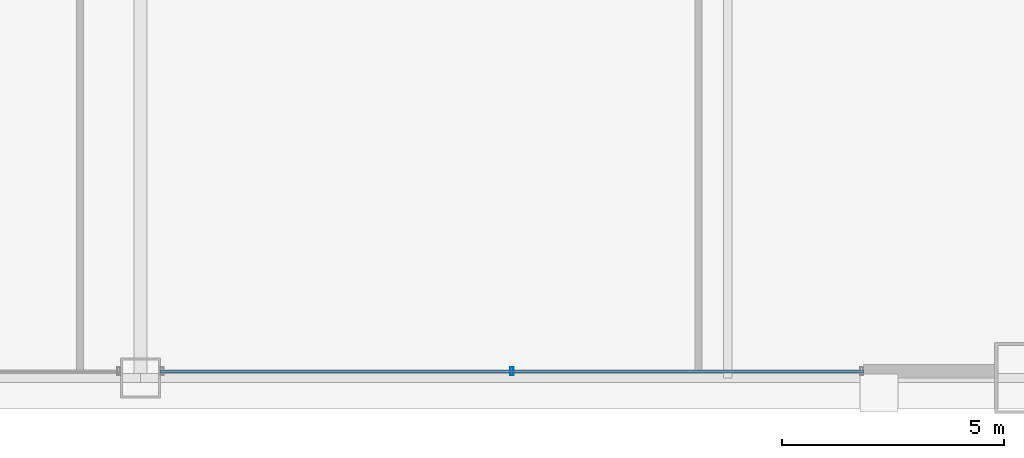
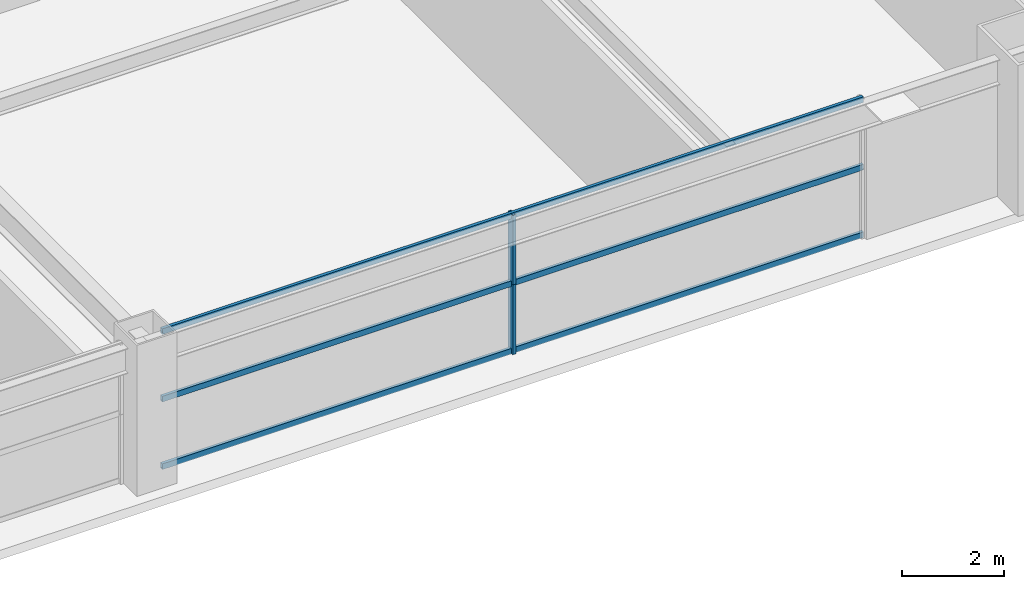
# One storey, part 13 of 38: 5 members, 1 element without a shape of its own.
"""IFC4 building model written with IfcOpenShell, lengths in metres."""

from ifc_helpers import new_model, si_unit, direction, frame, origin, origin_2d, place, context, subcontext, project, spatial, hollow_rectangle, extrude, source, transform, mapped, material, layer, layer_set, material_profile, profile_set, type_object, element, aggregate, save


model = new_model("IFC4")

# Units and contexts
model_context = context("Model", 3, precision=1e-05, world=origin(), true_north=direction((0.0, 1.0)))
body_context = subcontext(model_context, "Body", "Model", "MODEL_VIEW")
ifc_project = project(units=[si_unit("LENGTHUNIT", "METRE"), si_unit("AREAUNIT", "SQUARE_METRE"), si_unit("VOLUMEUNIT", "CUBIC_METRE"), si_unit("PLANEANGLEUNIT", "RADIAN"), si_unit("MASSUNIT", "GRAM", prefix="KILO"), si_unit("THERMODYNAMICTEMPERATUREUNIT", "KELVIN"), si_unit("POWERUNIT", "WATT")], contexts=[model_context])

# Site, building, storey
site_placement = place(None, origin())
site = spatial("IfcSite", under=ifc_project, at=site_placement, CompositionType="ELEMENT")
building_placement = place(site_placement, origin())
building = spatial("IfcBuilding", under=site, at=building_placement, Name="Yuzanri Waterfront Tower", CompositionType="ELEMENT")
storey_placement = place(building_placement, frame((0.0, 0.0, 126.199951171875)))
storey = spatial("IfcBuildingStorey", under=building, at=storey_placement, Name="L33", CompositionType="ELEMENT", Elevation=126.199951171875)

# Curtain wall, members
ifc_material_1 = material(Name="Anodized Architectural Bronze", Category="metal")
ifc_layer = layer(ifc_material_1, 0.159912109375)
ifc_layer_set = layer_set([ifc_layer], Name="Anodized Architectural Bronze")
curtain_wall_type = type_object("IfcCurtainWallType", Name="Anodized Bronze Hotel Upper-Tier Solar-Control Unitized Curtain Wall 7800", PredefinedType="NOTDEFINED", material=ifc_layer_set)
curtain_wall_placement = place(storey_placement, origin())
curtain_wall = element("IfcCurtainWall", 1, at=curtain_wall_placement, inside=storey, type_object=curtain_wall_type, Name="L33 Curtain Wall CW-L33-SR", PredefinedType="NOTDEFINED")
ifc_material_2 = material(Name="Anodized Architectural Bronze", Category="metal")
ifc_material_profile_1 = material_profile(ifc_material_2, hollow_rectangle(XDim=0.070068359375, YDim=0.179931640625, WallThickness=0.00390625, at=origin_2d()), Name="CWM 70x180")
ifc_profile_set_1 = profile_set([ifc_material_profile_1], Name="Anodized Architectural Bronze")
member_type_1 = type_object("IfcMemberType", Name="Anodized Bronze Standard Curtain-Wall Mullion 70x180", PredefinedType="MULLION", material=ifc_profile_set_1)
shared_shape_1 = source(origin(), body_context, "Body", "SweptSolid", [
    extrude(hollow_rectangle(XDim=0.070068359375, YDim=0.179931640625, WallThickness=0.00390625, at=origin_2d()), origin(), (0.0, 0.0, 1.0), 1.657958984375),
])
member_1_placement = place(storey_placement, frame((45.35009765625, 2.35009765625, 0.0), z_axis=(0.0, 0.0, 1.0), x_axis=(1.0, 0.0, 0.0)))
member_1 = element("IfcMember", 2, at=member_1_placement, type_object=member_type_1, Name="CW-L33-SR Lower Mullion 01", PredefinedType="MULLION", context=body_context, shape_type="MappedRepresentation", body=[
    mapped(shared_shape_1, transform((0.0, 0.0, 0.0), scale=1.0)),
])
member_2_placement = place(storey_placement, frame((45.35009765625, 2.35009765625, 1.662109375), z_axis=(0.0, 0.0, 1.0), x_axis=(1.0, 0.0, 0.0)))
member_2 = element("IfcMember", 3, at=member_2_placement, type_object=member_type_1, Name="CW-L33-SR Upper Mullion 01", PredefinedType="MULLION", context=body_context, shape_type="MappedRepresentation", body=[
    mapped(shared_shape_1, transform((0.0, 0.0, 0.0), scale=1.0)),
])
ifc_material_3 = material(Name="Anodized Architectural Bronze", Category="metal")
ifc_material_profile_2 = material_profile(ifc_material_3, hollow_rectangle(XDim=0.070068359375, YDim=0.135009765625, WallThickness=0.00341796875, at=origin_2d()), Name="CWT 70x135")
ifc_profile_set_2 = profile_set([ifc_material_profile_2], Name="Anodized Architectural Bronze")
member_type_2 = type_object("IfcMemberType", Name="Anodized Bronze Standard Curtain-Wall Transom 70x135", PredefinedType="USERDEFINED", material=ifc_profile_set_2)
shared_shape_2 = source(origin(), body_context, "Body", "SweptSolid", [
    extrude(hollow_rectangle(XDim=0.070068359375, YDim=0.135009765625, WallThickness=0.00341796875, at=origin_2d()), origin(), (0.0, 0.0, 1.0), 15.800048828125),
])
member_3_placement = place(storey_placement, frame((37.449951171875, 2.35009765625, 0.050048828125), z_axis=(1.0, 0.0, 0.0), x_axis=(0.0, 1.0, 0.0)))
member_3 = element("IfcMember", 4, at=member_3_placement, type_object=member_type_2, Name="CW-L33-SR Transom 1", ObjectType="TRANSOM", PredefinedType="USERDEFINED", context=body_context, shape_type="MappedRepresentation", body=[
    mapped(shared_shape_2, transform((0.0, 0.0, 0.0), scale=1.0)),
])
member_4_placement = place(storey_placement, frame((37.449951171875, 2.35009765625, 1.66015625), z_axis=(1.0, 0.0, 0.0), x_axis=(0.0, 1.0, 0.0)))
member_4 = element("IfcMember", 5, at=member_4_placement, type_object=member_type_2, Name="CW-L33-SR Transom 2", ObjectType="TRANSOM", PredefinedType="USERDEFINED", context=body_context, shape_type="MappedRepresentation", body=[
    mapped(shared_shape_2, transform((0.0, 0.0, 0.0), scale=1.0)),
])
member_5_placement = place(storey_placement, frame((37.449951171875, 2.35009765625, 3.27001953125), z_axis=(1.0, 0.0, 0.0), x_axis=(0.0, 1.0, 0.0)))
member_5 = element("IfcMember", 6, at=member_5_placement, type_object=member_type_2, Name="CW-L33-SR Transom 3", ObjectType="TRANSOM", PredefinedType="USERDEFINED", context=body_context, shape_type="MappedRepresentation", body=[
    mapped(shared_shape_2, transform((0.0, 0.0, 0.0), scale=1.0)),
])
aggregate(curtain_wall, [member_1, member_2, member_3, member_4, member_5])

save(model, "model.ifc")
